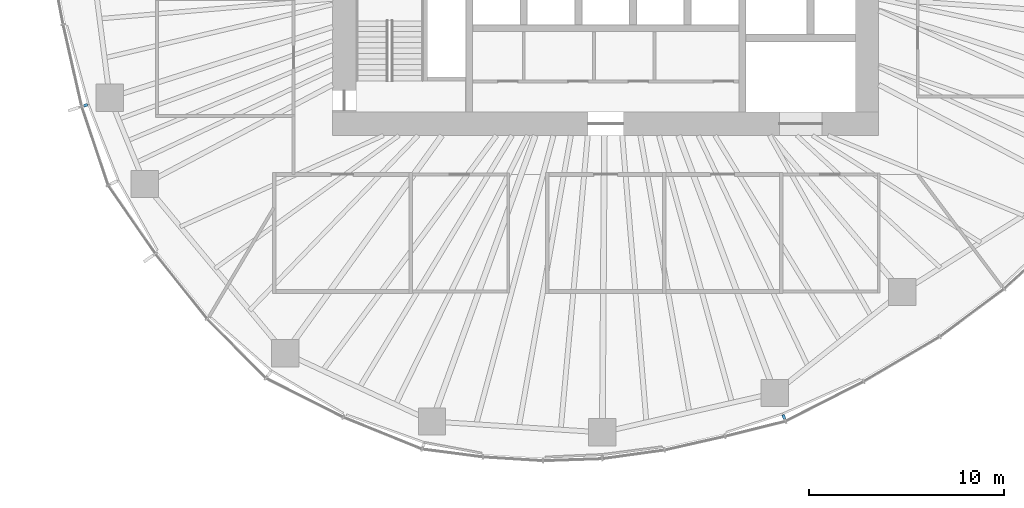
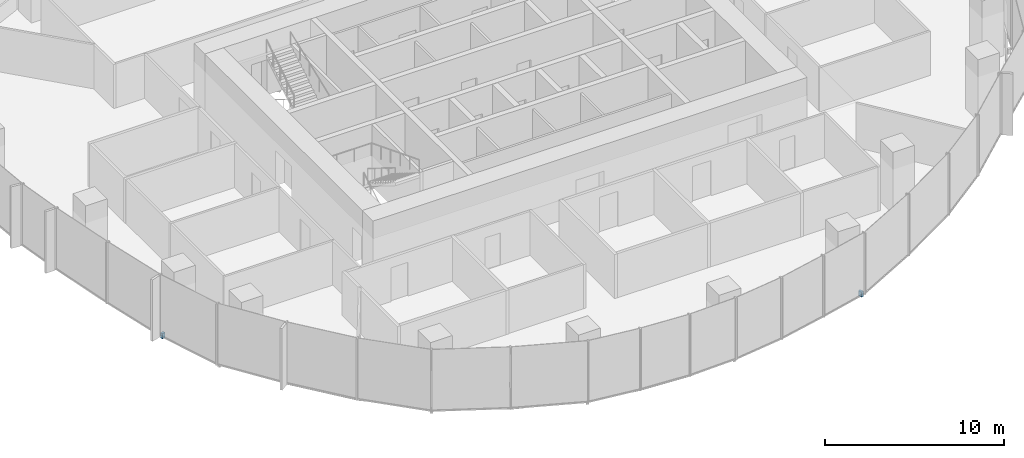
# One storey, part 13 of 18: 2 discrete accessories.
"""IFC4 building model written with IfcOpenShell, lengths in metres."""

from ifc_helpers import new_model, si_unit, direction, frame, origin, origin_2d, place, context, subcontext, project, spatial, rectangle, extrude, material, type_object, element, save


model = new_model("IFC4")

# Units and contexts
model_context = context("Model", 3, precision=1e-05, world=origin(), true_north=direction((0.0, 1.0)))
body_context = subcontext(model_context, "Body", "Model", "MODEL_VIEW")
ifc_project = project(units=[si_unit("LENGTHUNIT", "METRE"), si_unit("AREAUNIT", "SQUARE_METRE"), si_unit("VOLUMEUNIT", "CUBIC_METRE"), si_unit("PLANEANGLEUNIT", "RADIAN"), si_unit("MASSUNIT", "GRAM", prefix="KILO")], contexts=[model_context])

# Site, building, storey
site_placement = place(None, origin())
site = spatial("IfcSite", under=ifc_project, at=site_placement, CompositionType="ELEMENT")
building_placement = place(site_placement, origin())
building = spatial("IfcBuilding", under=site, at=building_placement, Name="Ghaith Harvest Tower", CompositionType="ELEMENT")
storey_placement = place(building_placement, frame((0.0, 0.0, 151.199951171875)))
storey = spatial("IfcBuildingStorey", under=building, at=storey_placement, Name="L32", CompositionType="ELEMENT", Elevation=151.199951171875)

# Discrete accessories
ifc_material_1 = material(Name="Stainless steel grade 1.4401", Category="steel")
discrete_accessory_type_1 = type_object("IfcDiscreteAccessoryType", Name="CURTAIN WALL BRACKET 205", PredefinedType="BRACKET", material=ifc_material_1)
discrete_accessory_1_placement = place(storey_placement, frame((-26.673095703125, -8.453125, -0.25), z_axis=(0.0, 0.0, 1.0), x_axis=(-0.953273219416, -0.302109531701, 0.0)))
element("IfcDiscreteAccessory", 1, at=discrete_accessory_1_placement, inside=storey, type_object=discrete_accessory_type_1, Name="CW-L bracket 1 bay 12 L32", PredefinedType="BRACKET", context=body_context, shape_type="SweptSolid", body=[
    extrude(rectangle(XDim=0.205078125, YDim=0.14990234375, at=origin_2d()), origin(), (0.0, 0.0, 1.0), 0.35009765625),
])
ifc_material_2 = material(Name="Stainless steel grade 1.4401", Category="steel")
discrete_accessory_type_2 = type_object("IfcDiscreteAccessoryType", Name="CURTAIN WALL BRACKET 245", PredefinedType="BRACKET", material=ifc_material_2)
discrete_accessory_2_placement = place(storey_placement, frame((9.135498046875, -24.436767578125, -0.25), z_axis=(0.0, 0.0, 1.0), x_axis=(0.35016769691, -0.93668702566, 0.0)))
element("IfcDiscreteAccessory", 2, at=discrete_accessory_2_placement, inside=storey, type_object=discrete_accessory_type_2, Name="CW-L bracket 1 bay 17 L32", PredefinedType="BRACKET", context=body_context, shape_type="SweptSolid", body=[
    extrude(rectangle(XDim=0.2451171875, YDim=0.14990234375, at=origin_2d()), origin(), (0.0, 0.0, 1.0), 0.35009765625),
])

save(model, "model.ifc")
